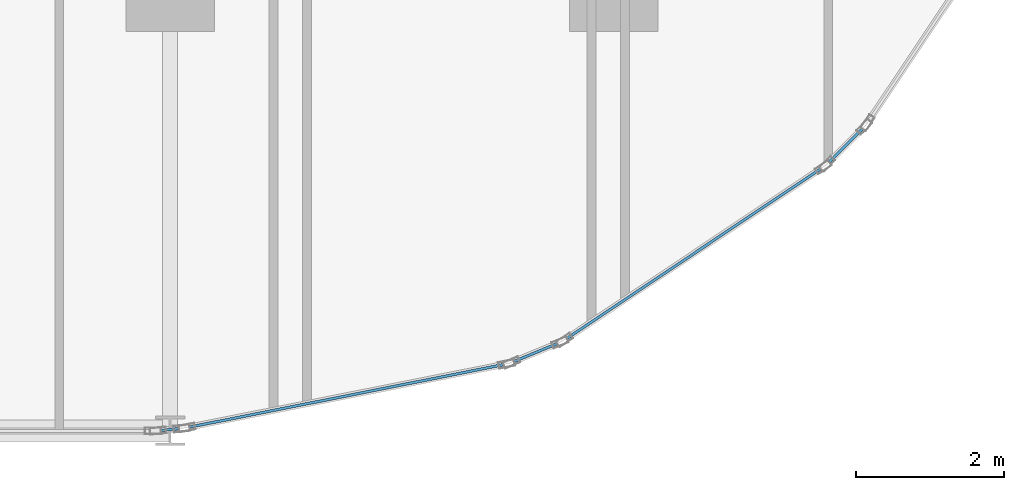
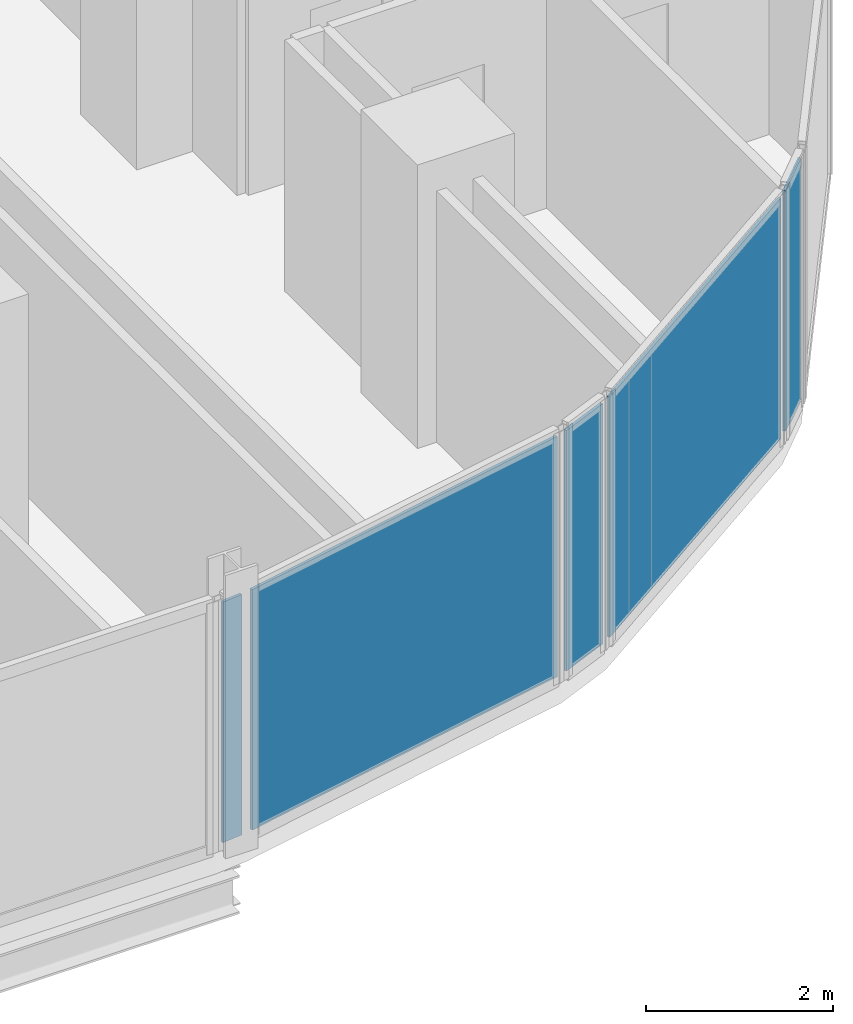
# One storey, part 22 of 33: 5 plates, 5 elements without a shape of their own.
"""IFC4 building model written with IfcOpenShell, lengths in metres."""

from ifc_helpers import new_model, si_unit, direction, frame, origin, origin_2d, place, context, subcontext, project, spatial, rectangle, extrude, material, layer, layer_set, type_object, element, aggregate, save


model = new_model("IFC4")

# Units and contexts
model_context = context("Model", 3, precision=1e-05, world=origin(), true_north=direction((0.0, 1.0)))
body_context = subcontext(model_context, "Body", "Model", "MODEL_VIEW")
ifc_project = project(units=[si_unit("LENGTHUNIT", "METRE"), si_unit("AREAUNIT", "SQUARE_METRE"), si_unit("VOLUMEUNIT", "CUBIC_METRE"), si_unit("PLANEANGLEUNIT", "RADIAN"), si_unit("MASSUNIT", "GRAM", prefix="KILO")], contexts=[model_context])

# Site, building, storey
site_placement = place(None, origin())
site = spatial("IfcSite", under=ifc_project, at=site_placement, CompositionType="ELEMENT")
building_placement = place(site_placement, origin())
building = spatial("IfcBuilding", under=site, at=building_placement, Name="Keshet Zoharim Tower", CompositionType="ELEMENT")
storey_placement = place(building_placement, frame((0.0, 0.0, 57.300048828125)))
storey = spatial("IfcBuildingStorey", under=building, at=storey_placement, Name="L13", CompositionType="ELEMENT", Elevation=57.300048828125)

# Curtain wall, plate
ifc_material_1 = material(Name="Aluminium 6063-T6", Category="aluminium")
ifc_layer_1 = layer(ifc_material_1, 0.179931640625)
ifc_layer_set_1 = layer_set([ifc_layer_1], Name="Aluminium 6063-T6")
curtain_wall_type = type_object("IfcCurtainWallType", Name="CW-SYS-01", PredefinedType="NOTDEFINED", material=ifc_layer_set_1)
curtain_wall_1_placement = place(storey_placement, origin())
curtain_wall_1 = element("IfcCurtainWall", 1, at=curtain_wall_1_placement, inside=storey, type_object=curtain_wall_type, Name="L13 Unitised Curtain Wall 21", PredefinedType="NOTDEFINED")
ifc_material_2 = material(Name="Insulated Low-E Clear Glass", Category="glass")
ifc_layer_2 = layer(ifc_material_2, 0.035888671875)
ifc_layer_set_2 = layer_set([ifc_layer_2], Name="Insulated Low-E Clear Glass")
plate_type = type_object("IfcPlateType", Name="CWP-01", PredefinedType="CURTAIN_PANEL", material=ifc_layer_set_2)
plate_1_placement = place(storey_placement, frame((66.137451171875, 4.5625, 0.06982421875), z_axis=(0.0, 0.0, 1.0), x_axis=(-0.707106781187, -0.707106781187, 0.0)))
plate_1 = element("IfcPlate", 2, at=plate_1_placement, type_object=plate_type, Name="CW-01 panel 1.1", PredefinedType="CURTAIN_PANEL", context=body_context, shape_type="SweptSolid", body=[
    extrude(rectangle(XDim=0.63916015625, YDim=0.035888671875, at=origin_2d()), origin(), (0.0, 0.0, 1.0), 3.139892578125),
])
aggregate(curtain_wall_1, [plate_1])

curtain_wall_2_placement = place(storey_placement, origin())
curtain_wall_2 = element("IfcCurtainWall", 3, at=curtain_wall_2_placement, inside=storey, type_object=curtain_wall_type, Name="L13 Unitised Curtain Wall 22", PredefinedType="NOTDEFINED")
plate_2_placement = place(storey_placement, frame((64.083984375, 3.09912109375, 0.06982421875), z_axis=(0.0, 0.0, 1.0), x_axis=(-0.831474282335, -0.555563243758, 0.0)))
plate_2 = element("IfcPlate", 4, at=plate_2_placement, type_object=plate_type, Name="CW-01 panel 1.1", PredefinedType="CURTAIN_PANEL", context=body_context, shape_type="SweptSolid", body=[
    extrude(rectangle(XDim=4.13671875, YDim=0.035888671875, at=origin_2d()), origin(), (0.0, 0.0, 1.0), 3.139892578125),
])
aggregate(curtain_wall_2, [plate_2])

curtain_wall_3_placement = place(storey_placement, origin())
curtain_wall_3 = element("IfcCurtainWall", 5, at=curtain_wall_3_placement, inside=storey, type_object=curtain_wall_type, Name="L13 Unitised Curtain Wall 23", PredefinedType="NOTDEFINED")
plate_3_placement = place(storey_placement, frame((61.945556640625, 1.761474609375, 0.06982421875), z_axis=(0.0, 0.0, 1.0), x_axis=(-0.923720000557, -0.383068349739, 0.0)))
plate_3 = element("IfcPlate", 6, at=plate_3_placement, type_object=plate_type, Name="CW-01 panel 1.1", PredefinedType="CURTAIN_PANEL", context=body_context, shape_type="SweptSolid", body=[
    extrude(rectangle(XDim=0.640625, YDim=0.035888671875, at=origin_2d()), origin(), (0.0, 0.0, 1.0), 3.139892578125),
])
aggregate(curtain_wall_3, [plate_3])

curtain_wall_4_placement = place(storey_placement, origin())
curtain_wall_4 = element("IfcCurtainWall", 7, at=curtain_wall_4_placement, inside=storey, type_object=curtain_wall_type, Name="L13 Unitised Curtain Wall 24", PredefinedType="NOTDEFINED")
plate_4_placement = place(storey_placement, frame((59.388916015625, 1.175048828125, 0.06982421875), z_axis=(0.0, 0.0, 1.0), x_axis=(-0.98076917357, -0.195171279072, 0.0)))
plate_4 = element("IfcPlate", 8, at=plate_4_placement, type_object=plate_type, Name="CW-01 panel 1.1", PredefinedType="CURTAIN_PANEL", context=body_context, shape_type="SweptSolid", body=[
    extrude(rectangle(XDim=4.338134765625, YDim=0.035888671875, at=origin_2d()), origin(), (0.0, 0.0, 1.0), 3.139892578125),
])
aggregate(curtain_wall_4, [plate_4])

curtain_wall_5_placement = place(storey_placement, origin())
curtain_wall_5 = element("IfcCurtainWall", 9, at=curtain_wall_5_placement, inside=storey, type_object=curtain_wall_type, Name="L13 Unitised Curtain Wall 25", PredefinedType="NOTDEFINED")
plate_5_placement = place(storey_placement, frame((56.998046875, 0.718994140625, 0.06982421875), z_axis=(0.0, 0.0, 1.0), x_axis=(-0.995286657009, -0.096976648633, 0.0)))
plate_5 = element("IfcPlate", 10, at=plate_5_placement, type_object=plate_type, Name="CW-01 panel 1.1", PredefinedType="CURTAIN_PANEL", context=body_context, shape_type="SweptSolid", body=[
    extrude(rectangle(XDim=0.251953125, YDim=0.035888671875, at=origin_2d()), origin(), (0.0, 0.0, 1.0), 3.139892578125),
])
aggregate(curtain_wall_5, [plate_5])

save(model, "model.ifc")
